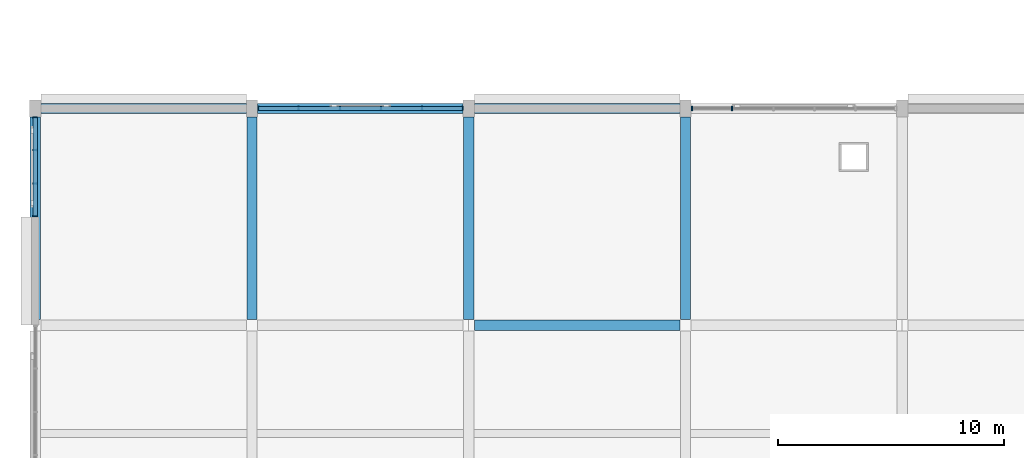
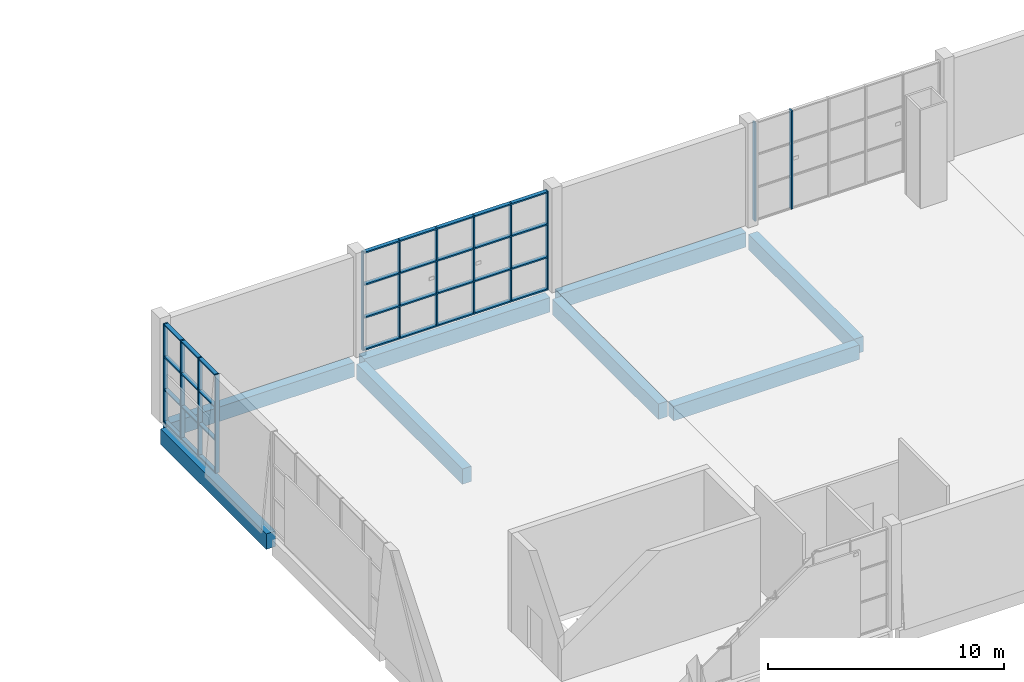
# One storey, part 5 of 72: 20 members, 8 beams, 3 elements without a shape of their own.
"""IFC4 building model written with IfcOpenShell, lengths in metres."""

from ifc_helpers import new_model, si_unit, direction, frame, origin, origin_2d, place, context, subcontext, project, spatial, rectangle, extrude, material, material_profile, profile_set, type_object, element, aggregate, save


model = new_model("IFC4")

# Units and contexts
model_context = context("Model", 3, precision=1e-05, world=origin(), true_north=direction((0.0, 1.0)))
body_context = subcontext(model_context, "Body", "Model", "MODEL_VIEW")
ifc_project = project(units=[si_unit("LENGTHUNIT", "METRE"), si_unit("AREAUNIT", "SQUARE_METRE"), si_unit("VOLUMEUNIT", "CUBIC_METRE"), si_unit("PLANEANGLEUNIT", "RADIAN"), si_unit("MASSUNIT", "GRAM", prefix="KILO")], contexts=[model_context])

# Site, building, storey
site_placement = place(None, origin())
site = spatial("IfcSite", under=ifc_project, at=site_placement, CompositionType="ELEMENT")
building_placement = place(site_placement, origin())
building = spatial("IfcBuilding", under=site, at=building_placement, Name="Shalvenor Court Art Gallery", CompositionType="ELEMENT")
storey_placement = place(building_placement, frame((0.0, 0.0, 11.39990234375)))
storey = spatial("IfcBuildingStorey", under=building, at=storey_placement, Name="L02", CompositionType="ELEMENT", Elevation=11.39990234375)

# Beams
ifc_material_1 = material(Name="Concrete C40/50", Category="concrete")
ifc_material_profile_1 = material_profile(ifc_material_1, rectangle(XDim=0.449951171875, YDim=0.800048828125, at=origin_2d()), Name="RC 450x800")
ifc_profile_set_1 = profile_set([ifc_material_profile_1], Name="Concrete C40/50")
beam_type_1 = type_object("IfcBeamType", Name="B-03", PredefinedType="BEAM", material=ifc_profile_set_1)
for number, where, z_axis, x_axis, name in (
    (1, (0.0, 19.449951171875, -0.719970703125), (0.0, 1.0, 0.0), (-1.0, 0.0, 0.0), "L02 Girder BM-L02-B-03-0689"),
    (2, (9.60009765625, 19.449951171875, -0.719970703125), (0.0, 1.0, 0.0), (-1.0, 0.0, 0.0), "L02 Girder BM-L02-B-03-0696"),
    (3, (19.199951171875, 19.449951171875, -0.719970703125), (0.0, 1.0, 0.0), (-1.0, 0.0, 0.0), "L02 Girder BM-L02-B-03-0704"),
    (4, (28.800048828125, 19.449951171875, -0.719970703125), (0.0, 1.0, 0.0), (-1.0, 0.0, 0.0), "L02 Girder BM-L02-B-03-0709"),
):
    element("IfcBeam", number, at=place(storey_placement, frame(where, z_axis=z_axis, x_axis=x_axis)), inside=storey, type_object=beam_type_1, Name=name, PredefinedType="BEAM", context=body_context, shape_type="SweptSolid", body=[
        extrude(rectangle(XDim=0.449951171875, YDim=0.800048828125, at=origin_2d()), origin(), (0.0, 0.0, 1.0), 8.97509765625),
    ])
ifc_material_2 = material(Name="Concrete C40/50", Category="concrete")
ifc_material_profile_2 = material_profile(ifc_material_2, rectangle(XDim=0.449951171875, YDim=0.75, at=origin_2d()), Name="RC 450x750")
ifc_profile_set_2 = profile_set([ifc_material_profile_2], Name="Concrete C40/50")
beam_type_2 = type_object("IfcBeamType", Name="B-04", PredefinedType="BEAM", material=ifc_profile_set_2)
for number, where, z_axis, x_axis, name in (
    (5, (19.449951171875, 19.199951171875, -0.69482421875), (1.0, 0.0, 0.0), (0.0, 1.0, 0.0), "L02 Girder BM-L02-B-04-0817"),
    (6, (0.25, 28.800048828125, -0.69482421875), (1.0, 0.0, 0.0), (0.0, 1.0, 0.0), "L02 Girder BM-L02-B-04-0828"),
):
    element("IfcBeam", number, at=place(storey_placement, frame(where, z_axis=z_axis, x_axis=x_axis)), inside=storey, type_object=beam_type_2, Name=name, PredefinedType="BEAM", context=body_context, shape_type="SweptSolid", body=[
        extrude(rectangle(XDim=0.449951171875, YDim=0.75, at=origin_2d()), origin(), (0.0, 0.0, 1.0), 9.10009765625),
    ])
beam_1_placement = place(storey_placement, frame((9.85009765625, 28.800048828125, -0.69482421875), z_axis=(1.0, 0.0, 0.0), x_axis=(0.0, 1.0, 0.0)))
element("IfcBeam", 7, at=beam_1_placement, inside=storey, type_object=beam_type_2, Name="L02 Girder BM-L02-B-04-0829", PredefinedType="BEAM", context=body_context, shape_type="SweptSolid", body=[
    extrude(rectangle(XDim=0.449951171875, YDim=0.75, at=origin_2d()), origin(), (0.0, 0.0, 1.0), 9.099853515625),
])
beam_2_placement = place(storey_placement, frame((19.449951171875, 28.800048828125, -0.69482421875), z_axis=(1.0, 0.0, 0.0), x_axis=(0.0, 1.0, 0.0)))
element("IfcBeam", 8, at=beam_2_placement, inside=storey, type_object=beam_type_2, Name="L02 Girder BM-L02-B-04-0830", PredefinedType="BEAM", context=body_context, shape_type="SweptSolid", body=[
    extrude(rectangle(XDim=0.449951171875, YDim=0.75, at=origin_2d()), origin(), (0.0, 0.0, 1.0), 9.10009765625),
])

# Curtain wall, members
ifc_material_3 = material(Name="Anodised aluminium and low-iron glass curtain wall", Category="aluminium")
curtain_wall_type_1 = type_object("IfcCurtainWallType", Name="CW-5x3-91-51-141", PredefinedType="USERDEFINED", material=ifc_material_3)
curtain_wall_1_placement = place(storey_placement, origin())
curtain_wall_1 = element("IfcCurtainWall", 9, at=curtain_wall_1_placement, inside=storey, type_object=curtain_wall_type_1, Name="L02 V4 Curtain Wall CW-L02-140", ObjectType="CURTAIN WALL", PredefinedType="USERDEFINED")
ifc_material_4 = material(Name="Anodised aluminium mullion", Category="aluminium")
ifc_material_profile_3 = material_profile(ifc_material_4, rectangle(XDim=0.06494140625, YDim=0.179931640625, at=origin_2d()), Name="CWM-01")
ifc_profile_set_3 = profile_set([ifc_material_profile_3], Name="Anodised aluminium mullion")
member_type_1 = type_object("IfcMemberType", Name="CWM-01", PredefinedType="MULLION", material=ifc_profile_set_3)
member_1_placement = place(storey_placement, frame((9.882568359375, 28.800048828125, 0.0), z_axis=(0.0, 0.0, 1.0), x_axis=(1.0, 0.0, 0.0)))
member_1 = element("IfcMember", 10, at=member_1_placement, type_object=member_type_1, Name="CW-5x3-91-51-141 mullion 1", PredefinedType="MULLION", context=body_context, shape_type="SweptSolid", body=[
    extrude(rectangle(XDim=0.06494140625, YDim=0.179931640625, at=origin_2d()), origin(), (0.0, 0.0, 1.0), 5.10009765625),
])
member_2_placement = place(storey_placement, frame((11.669921875, 28.800048828125, 0.0), z_axis=(0.0, 0.0, 1.0), x_axis=(1.0, 0.0, 0.0)))
member_2 = element("IfcMember", 11, at=member_2_placement, type_object=member_type_1, Name="CW-5x3-91-51-141 mullion 2", PredefinedType="MULLION", context=body_context, shape_type="SweptSolid", body=[
    extrude(rectangle(XDim=0.06494140625, YDim=0.179931640625, at=origin_2d()), origin(), (0.0, 0.0, 1.0), 5.10009765625),
])
member_3_placement = place(storey_placement, frame((13.489990234375, 28.800048828125, 0.0), z_axis=(0.0, 0.0, 1.0), x_axis=(1.0, 0.0, 0.0)))
member_3 = element("IfcMember", 12, at=member_3_placement, type_object=member_type_1, Name="CW-5x3-91-51-141 mullion 3", PredefinedType="MULLION", context=body_context, shape_type="SweptSolid", body=[
    extrude(rectangle(XDim=0.06494140625, YDim=0.179931640625, at=origin_2d()), origin(), (0.0, 0.0, 1.0), 5.10009765625),
])
member_4_placement = place(storey_placement, frame((15.31005859375, 28.800048828125, 0.0), z_axis=(0.0, 0.0, 1.0), x_axis=(1.0, 0.0, 0.0)))
member_4 = element("IfcMember", 13, at=member_4_placement, type_object=member_type_1, Name="CW-5x3-91-51-141 mullion 4", PredefinedType="MULLION", context=body_context, shape_type="SweptSolid", body=[
    extrude(rectangle(XDim=0.06494140625, YDim=0.179931640625, at=origin_2d()), origin(), (0.0, 0.0, 1.0), 5.10009765625),
])
member_5_placement = place(storey_placement, frame((17.1298828125, 28.800048828125, 0.0), z_axis=(0.0, 0.0, 1.0), x_axis=(1.0, 0.0, 0.0)))
member_5 = element("IfcMember", 14, at=member_5_placement, type_object=member_type_1, Name="CW-5x3-91-51-141 mullion 5", PredefinedType="MULLION", context=body_context, shape_type="SweptSolid", body=[
    extrude(rectangle(XDim=0.06494140625, YDim=0.179931640625, at=origin_2d()), origin(), (0.0, 0.0, 1.0), 5.10009765625),
])
member_6_placement = place(storey_placement, frame((18.91748046875, 28.800048828125, 0.0), z_axis=(0.0, 0.0, 1.0), x_axis=(1.0, 0.0, 0.0)))
member_6 = element("IfcMember", 15, at=member_6_placement, type_object=member_type_1, Name="CW-5x3-91-51-141 mullion 6", PredefinedType="MULLION", context=body_context, shape_type="SweptSolid", body=[
    extrude(rectangle(XDim=0.06494140625, YDim=0.179931640625, at=origin_2d()), origin(), (0.0, 0.0, 1.0), 5.10009765625),
])

ifc_material_5 = material(Name="Anodised aluminium and low-iron glass curtain wall", Category="aluminium")
curtain_wall_type_2 = type_object("IfcCurtainWallType", Name="CW-5x3-91-51-211", PredefinedType="USERDEFINED", material=ifc_material_5)
curtain_wall_2_placement = place(storey_placement, origin())
curtain_wall_2 = element("IfcCurtainWall", 16, at=curtain_wall_2_placement, inside=storey, type_object=curtain_wall_type_2, Name="L02 V4 Curtain Wall CW-L02-141", ObjectType="CURTAIN WALL", PredefinedType="USERDEFINED")
ifc_material_6 = material(Name="Anodised aluminium mullion", Category="aluminium")
ifc_material_profile_4 = material_profile(ifc_material_6, rectangle(XDim=0.070068359375, YDim=0.199951171875, at=origin_2d()), Name="CWM-02")
ifc_profile_set_4 = profile_set([ifc_material_profile_4], Name="Anodised aluminium mullion")
member_type_2 = type_object("IfcMemberType", Name="CWM-02", PredefinedType="MULLION", material=ifc_profile_set_4)
member_7_placement = place(storey_placement, frame((29.0849609375, 28.800048828125, 0.0), z_axis=(0.0, 0.0, 1.0), x_axis=(1.0, 0.0, 0.0)))
member_7 = element("IfcMember", 17, at=member_7_placement, type_object=member_type_2, Name="CW-5x3-91-51-211 mullion 1", PredefinedType="MULLION", context=body_context, shape_type="SweptSolid", body=[
    extrude(rectangle(XDim=0.070068359375, YDim=0.199951171875, at=origin_2d()), origin(), (0.0, 0.0, 1.0), 5.10009765625),
])
member_8_placement = place(storey_placement, frame((30.8701171875, 28.800048828125, 0.0), z_axis=(0.0, 0.0, 1.0), x_axis=(1.0, 0.0, 0.0)))
member_8 = element("IfcMember", 18, at=member_8_placement, type_object=member_type_2, Name="CW-5x3-91-51-211 mullion 2", PredefinedType="MULLION", context=body_context, shape_type="SweptSolid", body=[
    extrude(rectangle(XDim=0.070068359375, YDim=0.199951171875, at=origin_2d()), origin(), (0.0, 0.0, 1.0), 5.10009765625),
])
aggregate(curtain_wall_2, [member_7, member_8])

ifc_material_7 = material(Name="Anodised aluminium and low-iron glass curtain wall", Category="aluminium")
curtain_wall_type_3 = type_object("IfcCurtainWallType", Name="CW-3x3-44-51-241", PredefinedType="USERDEFINED", material=ifc_material_7)
curtain_wall_3_placement = place(storey_placement, origin())
curtain_wall_3 = element("IfcCurtainWall", 19, at=curtain_wall_3_placement, inside=storey, type_object=curtain_wall_type_3, Name="L02 V4 Curtain Wall CW-L02-149", ObjectType="CURTAIN WALL", PredefinedType="USERDEFINED")
member_9_placement = place(storey_placement, frame((0.0, 24.034912109375, 0.0), z_axis=(0.0, 0.0, 1.0), x_axis=(0.0, 1.0, 0.0)))
member_9 = element("IfcMember", 20, at=member_9_placement, type_object=member_type_2, Name="CW-3x3-44-51-241 mullion 1", PredefinedType="MULLION", context=body_context, shape_type="SweptSolid", body=[
    extrude(rectangle(XDim=0.070068359375, YDim=0.199951171875, at=origin_2d()), origin(), (0.0, 0.0, 1.0), 5.10009765625),
])
member_10_placement = place(storey_placement, frame((0.0, 25.47509765625, 0.0), z_axis=(0.0, 0.0, 1.0), x_axis=(0.0, 1.0, 0.0)))
member_10 = element("IfcMember", 21, at=member_10_placement, type_object=member_type_2, Name="CW-3x3-44-51-241 mullion 2", PredefinedType="MULLION", context=body_context, shape_type="SweptSolid", body=[
    extrude(rectangle(XDim=0.070068359375, YDim=0.199951171875, at=origin_2d()), origin(), (0.0, 0.0, 1.0), 5.10009765625),
])
member_11_placement = place(storey_placement, frame((0.0, 26.949951171875, 0.0), z_axis=(0.0, 0.0, 1.0), x_axis=(0.0, 1.0, 0.0)))
member_11 = element("IfcMember", 22, at=member_11_placement, type_object=member_type_2, Name="CW-3x3-44-51-241 mullion 3", PredefinedType="MULLION", context=body_context, shape_type="SweptSolid", body=[
    extrude(rectangle(XDim=0.070068359375, YDim=0.199951171875, at=origin_2d()), origin(), (0.0, 0.0, 1.0), 5.10009765625),
])
member_12_placement = place(storey_placement, frame((0.0, 28.389892578125, 0.0), z_axis=(0.0, 0.0, 1.0), x_axis=(0.0, 1.0, 0.0)))
member_12 = element("IfcMember", 23, at=member_12_placement, type_object=member_type_2, Name="CW-3x3-44-51-241 mullion 4", PredefinedType="MULLION", context=body_context, shape_type="SweptSolid", body=[
    extrude(rectangle(XDim=0.070068359375, YDim=0.199951171875, at=origin_2d()), origin(), (0.0, 0.0, 1.0), 5.10009765625),
])

# Member
ifc_material_8 = material(Name="Anodised aluminium transom", Category="aluminium")
ifc_material_profile_5 = material_profile(ifc_material_8, rectangle(XDim=0.18994140625, YDim=0.070068359375, at=origin_2d()), Name="CWT-04")
ifc_profile_set_5 = profile_set([ifc_material_profile_5], Name="Anodised aluminium transom")
member_type_3 = type_object("IfcMemberType", Name="CWT-04", PredefinedType="USERDEFINED", material=ifc_profile_set_5)
member_13_placement = place(storey_placement, frame((9.882568359375, 28.800048828125, 0.03515625), z_axis=(1.0, 0.0, 0.0), x_axis=(0.0, 1.0, 0.0)))
member_13 = element("IfcMember", 24, at=member_13_placement, type_object=member_type_3, Name="CW-5x3-91-51-141 transom 1", ObjectType="TRANSOM", PredefinedType="USERDEFINED", context=body_context, shape_type="SweptSolid", body=[
    extrude(rectangle(XDim=0.18994140625, YDim=0.070068359375, at=origin_2d()), origin(), (0.0, 0.0, 1.0), 9.034912109375),
])

member_14_placement = place(storey_placement, frame((9.882568359375, 28.800048828125, 1.7001953125), z_axis=(1.0, 0.0, 0.0), x_axis=(0.0, 1.0, 0.0)))
member_14 = element("IfcMember", 25, at=member_14_placement, type_object=member_type_3, Name="CW-5x3-91-51-141 transom 2", ObjectType="TRANSOM", PredefinedType="USERDEFINED", context=body_context, shape_type="SweptSolid", body=[
    extrude(rectangle(XDim=0.18994140625, YDim=0.070068359375, at=origin_2d()), origin(), (0.0, 0.0, 1.0), 9.034912109375),
])

member_15_placement = place(storey_placement, frame((9.882568359375, 28.800048828125, 3.400146484375), z_axis=(1.0, 0.0, 0.0), x_axis=(0.0, 1.0, 0.0)))
member_15 = element("IfcMember", 26, at=member_15_placement, type_object=member_type_3, Name="CW-5x3-91-51-141 transom 3", ObjectType="TRANSOM", PredefinedType="USERDEFINED", context=body_context, shape_type="SweptSolid", body=[
    extrude(rectangle(XDim=0.18994140625, YDim=0.070068359375, at=origin_2d()), origin(), (0.0, 0.0, 1.0), 9.034912109375),
])

member_16_placement = place(storey_placement, frame((9.882568359375, 28.800048828125, 5.065185546875), z_axis=(1.0, 0.0, 0.0), x_axis=(0.0, 1.0, 0.0)))
member_16 = element("IfcMember", 27, at=member_16_placement, type_object=member_type_3, Name="CW-5x3-91-51-141 transom 4", ObjectType="TRANSOM", PredefinedType="USERDEFINED", context=body_context, shape_type="SweptSolid", body=[
    extrude(rectangle(XDim=0.18994140625, YDim=0.070068359375, at=origin_2d()), origin(), (0.0, 0.0, 1.0), 9.034912109375),
])

aggregate(curtain_wall_1, [member_1, member_2, member_3, member_4, member_5, member_6, member_13, member_14, member_15, member_16])

member_17_placement = place(storey_placement, frame((0.0, 24.034912109375, 0.03515625), z_axis=(0.0, 1.0, 0.0), x_axis=(-1.0, 0.0, 0.0)))
member_17 = element("IfcMember", 28, at=member_17_placement, type_object=member_type_3, Name="CW-3x3-44-51-241 transom 1", ObjectType="TRANSOM", PredefinedType="USERDEFINED", context=body_context, shape_type="SweptSolid", body=[
    extrude(rectangle(XDim=0.18994140625, YDim=0.070068359375, at=origin_2d()), origin(), (0.0, 0.0, 1.0), 4.35498046875),
])

member_18_placement = place(storey_placement, frame((0.0, 24.034912109375, 1.7001953125), z_axis=(0.0, 1.0, 0.0), x_axis=(-1.0, 0.0, 0.0)))
member_18 = element("IfcMember", 29, at=member_18_placement, type_object=member_type_3, Name="CW-3x3-44-51-241 transom 2", ObjectType="TRANSOM", PredefinedType="USERDEFINED", context=body_context, shape_type="SweptSolid", body=[
    extrude(rectangle(XDim=0.18994140625, YDim=0.070068359375, at=origin_2d()), origin(), (0.0, 0.0, 1.0), 4.35498046875),
])

member_19_placement = place(storey_placement, frame((0.0, 24.034912109375, 3.400146484375), z_axis=(0.0, 1.0, 0.0), x_axis=(-1.0, 0.0, 0.0)))
member_19 = element("IfcMember", 30, at=member_19_placement, type_object=member_type_3, Name="CW-3x3-44-51-241 transom 3", ObjectType="TRANSOM", PredefinedType="USERDEFINED", context=body_context, shape_type="SweptSolid", body=[
    extrude(rectangle(XDim=0.18994140625, YDim=0.070068359375, at=origin_2d()), origin(), (0.0, 0.0, 1.0), 4.35498046875),
])

member_20_placement = place(storey_placement, frame((0.0, 24.034912109375, 5.065185546875), z_axis=(0.0, 1.0, 0.0), x_axis=(-1.0, 0.0, 0.0)))
member_20 = element("IfcMember", 31, at=member_20_placement, type_object=member_type_3, Name="CW-3x3-44-51-241 transom 4", ObjectType="TRANSOM", PredefinedType="USERDEFINED", context=body_context, shape_type="SweptSolid", body=[
    extrude(rectangle(XDim=0.18994140625, YDim=0.070068359375, at=origin_2d()), origin(), (0.0, 0.0, 1.0), 4.35498046875),
])

aggregate(curtain_wall_3, [member_9, member_10, member_11, member_12, member_17, member_18, member_19, member_20])

save(model, "model.ifc")
